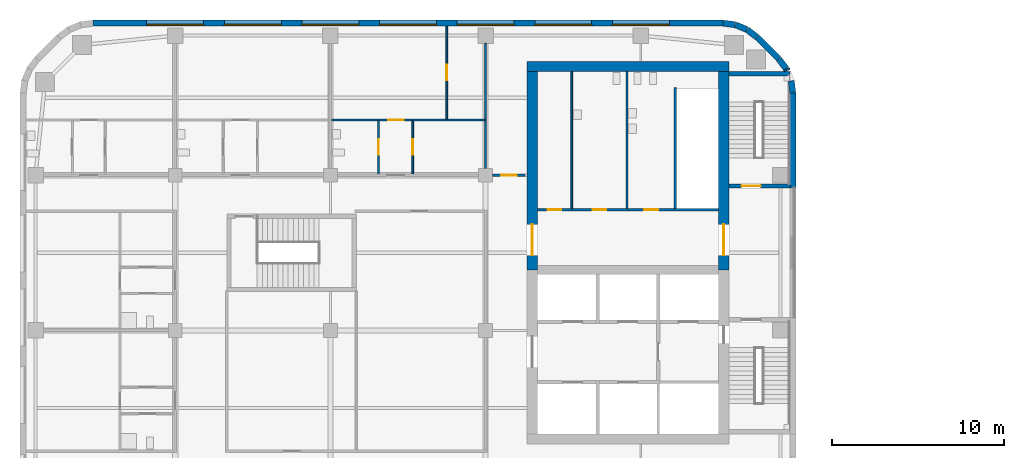
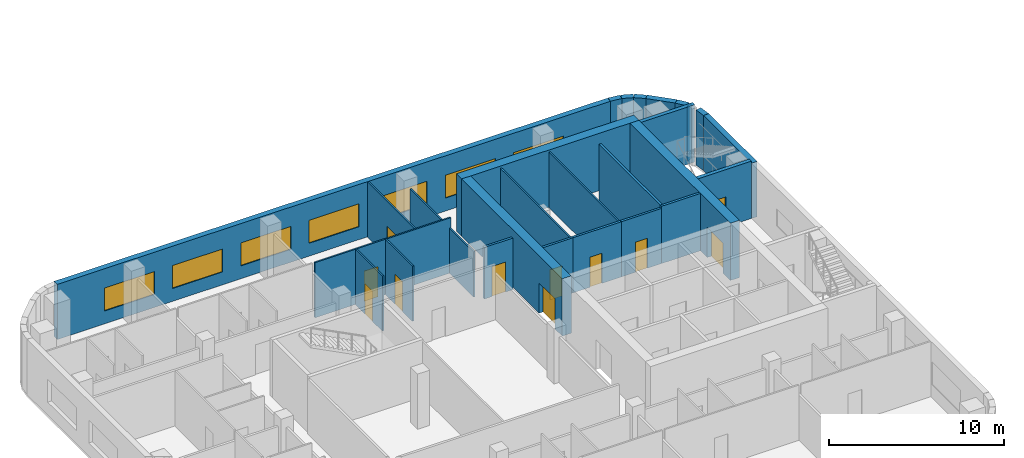
# One storey, part 8 of 16: 28 walls, 11 doors, 7 windows, 18 openings.
"""IFC4 building model written with IfcOpenShell, lengths in metres."""

from ifc_helpers import new_model, si_unit, direction, frame, frame_2d, origin, place, context, subcontext, project, spatial, rectangle, extrude, material, layer, layer_set, type_object, element, fill, save


model = new_model("IFC4")

# Units and contexts
model_context = context("Model", 3, precision=1e-05, world=origin(), true_north=direction((0.0, 1.0)))
body_context = subcontext(model_context, "Body", "Model", "MODEL_VIEW")
ifc_project = project(units=[si_unit("LENGTHUNIT", "METRE"), si_unit("AREAUNIT", "SQUARE_METRE"), si_unit("VOLUMEUNIT", "CUBIC_METRE"), si_unit("PLANEANGLEUNIT", "RADIAN"), si_unit("MASSUNIT", "GRAM", prefix="KILO")], contexts=[model_context])

# Site, building, storey
site_placement = place(None, origin())
site = spatial("IfcSite", under=ifc_project, at=site_placement, CompositionType="ELEMENT")
building_placement = place(site_placement, origin())
building = spatial("IfcBuilding", under=site, at=building_placement, Name="Cinnabar Reach Civic Tower", CompositionType="ELEMENT")
storey_placement = place(building_placement, frame((0.0, 0.0, 30.0)))
storey = spatial("IfcBuildingStorey", under=building, at=storey_placement, Name="L06", CompositionType="ELEMENT", Elevation=30.0)

# Walls
ifc_material_1 = material(Name="Facing brick with insulated backing", Category="masonry")
ifc_layer_1 = layer(ifc_material_1, 0.36)
ifc_layer_set_1 = layer_set([ifc_layer_1], Name="Brick corner wall")
wall_type_1 = type_object("IfcWallType", Name="Brick corner wall", PredefinedType="STANDARD", material=ifc_layer_set_1)
wall_1_placement = place(storey_placement, frame((-27.183, 40.7686, 0.0), z_axis=(0.0, 0.0, 1.0), x_axis=(-0.13055608231, 0.99144092581, 0.0)))
element("IfcWall", 1, at=wall_1_placement, inside=storey, type_object=wall_type_1, Name="Brick corner wall", PredefinedType="STANDARD", context=body_context, shape_type="SweptSolid", body=[
    extrude(rectangle(XDim=0.7131, YDim=0.36, at=frame_2d((0.3565, 0.0))), origin(), (0.0, 0.0, 1.0), 3.85),
])
wall_2_placement = place(storey_placement, frame((-27.5206, 42.0735, 0.0), z_axis=(0.0, 0.0, 1.0), x_axis=(-0.382549378284, 0.923935048136, 0.0)))
element("IfcWall", 2, at=wall_2_placement, inside=storey, type_object=wall_type_1, Name="Brick corner wall", PredefinedType="STANDARD", context=body_context, shape_type="SweptSolid", body=[
    extrude(rectangle(XDim=0.0894, YDim=0.36, at=frame_2d((0.0447, 0.0))), origin(), (0.0, 0.0, 1.0), 3.85),
])
for number, where, z_axis, x_axis, name in (
    (3, (-27.566, 42.1755, 0.0), (0.0, 0.0, 1.0), (-0.608802368033, 0.793321924995, 0.0), "Brick corner wall"),
    (4, (-29.2587, 43.9998, 0.0), (0.0, 0.0, 1.0), (-0.793321924995, 0.608802368033, 0.0), "Brick corner wall"),
):
    element("IfcWall", number, at=place(storey_placement, frame(where, z_axis=z_axis, x_axis=x_axis)), inside=storey, type_object=wall_type_1, Name=name, PredefinedType="STANDARD", context=body_context, shape_type="SweptSolid", body=[
        extrude(rectangle(XDim=0.7132, YDim=0.36, at=frame_2d((0.3566, 0.0))), origin(), (0.0, 0.0, 1.0), 3.85),
    ])
for number, where, z_axis, x_axis, name in (
    (5, (-29.8439, 44.4452, 0.0), (0.0, 0.0, 1.0), (-0.923871547278, 0.382702709855, 0.0), "Brick corner wall"),
    (6, (-30.5244, 44.7239, 0.0), (0.0, 0.0, 1.0), (-0.99144092581, 0.13055608231, 0.0), "Brick corner wall"),
):
    element("IfcWall", number, at=place(storey_placement, frame(where, z_axis=z_axis, x_axis=x_axis)), inside=storey, type_object=wall_type_1, Name=name, PredefinedType="STANDARD", context=body_context, shape_type="SweptSolid", body=[
        extrude(rectangle(XDim=0.7131, YDim=0.36, at=frame_2d((0.3565, 0.0))), origin(), (0.0, 0.0, 1.0), 3.85),
    ])
ifc_layer_2 = layer(ifc_material_1, 0.36)
ifc_layer_set_2 = layer_set([ifc_layer_2], Name="Brick pier and spandrel wall")
wall_type_2 = type_object("IfcWallType", Name="Brick pier and spandrel wall", PredefinedType="STANDARD", material=ifc_layer_set_2)
wall_3_placement = place(storey_placement, frame((-27.18, 35.25, 0.0), z_axis=(0.0, 0.0, 1.0), x_axis=(0.0, 1.0, 0.0)))
element("IfcWall", 7, at=wall_3_placement, inside=storey, type_object=wall_type_2, Name="Brick facade wall", PredefinedType="STANDARD", context=body_context, shape_type="SweptSolid", body=[
    extrude(rectangle(XDim=5.5074, YDim=0.36, at=frame_2d((2.7537, 0.0))), origin(), (0.0, 0.0, 1.0), 3.85),
])
wall_4_placement = place(storey_placement, frame((-28.006, 42.7514, 0.0), z_axis=(0.0, 0.0, 1.0), x_axis=(-0.707106781187, 0.707106781187, 0.0)))
element("IfcWall", 8, at=wall_4_placement, inside=storey, type_object=wall_type_2, Name="Brick facade wall", PredefinedType="STANDARD", context=body_context, shape_type="SweptSolid", body=[
    extrude(rectangle(XDim=1.7573, YDim=0.36, at=frame_2d((0.8787, 0.0))), origin(), (0.0, 0.0, 1.0), 3.85),
])

# Wall, openings, windows
wall_5_placement = place(storey_placement, frame((-31.2426, 44.82, 0.0), z_axis=(0.0, 0.0, 1.0), x_axis=(-1.0, 0.0, 0.0)))
wall_5 = element("IfcWall", 9, at=wall_5_placement, inside=storey, type_object=wall_type_2, Name="Brick facade wall", PredefinedType="STANDARD", context=body_context, shape_type="SweptSolid", body=[
    extrude(rectangle(XDim=36.5148, YDim=0.36, at=frame_2d((18.2574, 0.0))), origin(), (0.0, 0.0, 1.0), 3.85),
])
opening_1_placement = place(wall_5_placement, frame((3.1074, 0.0, 0.9)))
opening_1 = element("IfcOpeningElement", 10, at=opening_1_placement, cuts=wall_5, Name="Opening W2381", PredefinedType="OPENING", context=body_context, shape_type="SweptSolid", body=[
    extrude(rectangle(XDim=3.3, YDim=1.6, at=frame_2d((1.65, 0.8))), frame((0.0, 0.19, 0.0), z_axis=(0.0, -1.0, 0.0), x_axis=(1.0, 0.0, 0.0)), (0.0, 0.0, 1.0), 0.38),
])
opening_2_placement = place(wall_5_placement, frame((7.6074, 0.0, 0.9)))
opening_2 = element("IfcOpeningElement", 11, at=opening_2_placement, cuts=wall_5, Name="Opening W2382", PredefinedType="OPENING", context=body_context, shape_type="SweptSolid", body=[
    extrude(rectangle(XDim=3.3, YDim=1.6, at=frame_2d((1.65, 0.8))), frame((0.0, 0.19, 0.0), z_axis=(0.0, -1.0, 0.0), x_axis=(1.0, 0.0, 0.0)), (0.0, 0.0, 1.0), 0.38),
])
opening_3_placement = place(wall_5_placement, frame((12.1074, 0.0, 0.9)))
opening_3 = element("IfcOpeningElement", 12, at=opening_3_placement, cuts=wall_5, Name="Opening W2383", PredefinedType="OPENING", context=body_context, shape_type="SweptSolid", body=[
    extrude(rectangle(XDim=3.3, YDim=1.6, at=frame_2d((1.65, 0.8))), frame((0.0, 0.19, 0.0), z_axis=(0.0, -1.0, 0.0), x_axis=(1.0, 0.0, 0.0)), (0.0, 0.0, 1.0), 0.38),
])
opening_4_placement = place(wall_5_placement, frame((16.6074, 0.0, 0.9)))
opening_4 = element("IfcOpeningElement", 13, at=opening_4_placement, cuts=wall_5, Name="Opening W2384", PredefinedType="OPENING", context=body_context, shape_type="SweptSolid", body=[
    extrude(rectangle(XDim=3.3, YDim=1.6, at=frame_2d((1.65, 0.8))), frame((0.0, 0.19, 0.0), z_axis=(0.0, -1.0, 0.0), x_axis=(1.0, 0.0, 0.0)), (0.0, 0.0, 1.0), 0.38),
])
opening_5_placement = place(wall_5_placement, frame((21.1074, 0.0, 0.9)))
opening_5 = element("IfcOpeningElement", 14, at=opening_5_placement, cuts=wall_5, Name="Opening W2385", PredefinedType="OPENING", context=body_context, shape_type="SweptSolid", body=[
    extrude(rectangle(XDim=3.3, YDim=1.6, at=frame_2d((1.65, 0.8))), frame((0.0, 0.19, 0.0), z_axis=(0.0, -1.0, 0.0), x_axis=(1.0, 0.0, 0.0)), (0.0, 0.0, 1.0), 0.38),
])
opening_6_placement = place(wall_5_placement, frame((25.6074, 0.0, 0.9)))
opening_6 = element("IfcOpeningElement", 15, at=opening_6_placement, cuts=wall_5, Name="Opening W2386", PredefinedType="OPENING", context=body_context, shape_type="SweptSolid", body=[
    extrude(rectangle(XDim=3.3, YDim=1.6, at=frame_2d((1.65, 0.8))), frame((0.0, 0.19, 0.0), z_axis=(0.0, -1.0, 0.0), x_axis=(1.0, 0.0, 0.0)), (0.0, 0.0, 1.0), 0.38),
])
opening_7_placement = place(wall_5_placement, frame((30.1074, 0.0, 0.9)))
opening_7 = element("IfcOpeningElement", 16, at=opening_7_placement, cuts=wall_5, Name="Opening W2387", PredefinedType="OPENING", context=body_context, shape_type="SweptSolid", body=[
    extrude(rectangle(XDim=3.3, YDim=1.6, at=frame_2d((1.65, 0.8))), frame((0.0, 0.19, 0.0), z_axis=(0.0, -1.0, 0.0), x_axis=(1.0, 0.0, 0.0)), (0.0, 0.0, 1.0), 0.38),
])
ifc_material_2 = material(Name="Clear double glazing in aluminium frame", Category="aluminium")
window_type = type_object("IfcWindowType", Name="Deep-set window A", PartitioningType="SINGLE_PANEL", PredefinedType="WINDOW", material=ifc_material_2)
window_1_placement = place(opening_1_placement, origin())
window_1 = element("IfcWindow", 17, at=window_1_placement, inside=storey, type_object=window_type, Name="Window north face", OverallHeight=1.6, OverallWidth=3.3, PartitioningType="SINGLE_PANEL", PredefinedType="WINDOW", context=body_context, shape_type="SweptSolid", body=[
    extrude(rectangle(XDim=3.3, YDim=1.6, at=frame_2d((1.65, 0.8))), frame((0.0, 0.13, 0.0), z_axis=(0.0, -1.0, 0.0), x_axis=(1.0, 0.0, 0.0)), (0.0, 0.0, 1.0), 0.06),
])
fill(opening_1, window_1)
window_2_placement = place(opening_2_placement, origin())
window_2 = element("IfcWindow", 18, at=window_2_placement, inside=storey, type_object=window_type, Name="Window north face", OverallHeight=1.6, OverallWidth=3.3, PartitioningType="SINGLE_PANEL", PredefinedType="WINDOW", context=body_context, shape_type="SweptSolid", body=[
    extrude(rectangle(XDim=3.3, YDim=1.6, at=frame_2d((1.65, 0.8))), frame((0.0, 0.13, 0.0), z_axis=(0.0, -1.0, 0.0), x_axis=(1.0, 0.0, 0.0)), (0.0, 0.0, 1.0), 0.06),
])
fill(opening_2, window_2)
window_3_placement = place(opening_3_placement, origin())
window_3 = element("IfcWindow", 19, at=window_3_placement, inside=storey, type_object=window_type, Name="Window north face", OverallHeight=1.6, OverallWidth=3.3, PartitioningType="SINGLE_PANEL", PredefinedType="WINDOW", context=body_context, shape_type="SweptSolid", body=[
    extrude(rectangle(XDim=3.3, YDim=1.6, at=frame_2d((1.65, 0.8))), frame((0.0, 0.13, 0.0), z_axis=(0.0, -1.0, 0.0), x_axis=(1.0, 0.0, 0.0)), (0.0, 0.0, 1.0), 0.06),
])
fill(opening_3, window_3)
window_4_placement = place(opening_4_placement, origin())
window_4 = element("IfcWindow", 20, at=window_4_placement, inside=storey, type_object=window_type, Name="Window north face", OverallHeight=1.6, OverallWidth=3.3, PartitioningType="SINGLE_PANEL", PredefinedType="WINDOW", context=body_context, shape_type="SweptSolid", body=[
    extrude(rectangle(XDim=3.3, YDim=1.6, at=frame_2d((1.65, 0.8))), frame((0.0, 0.13, 0.0), z_axis=(0.0, -1.0, 0.0), x_axis=(1.0, 0.0, 0.0)), (0.0, 0.0, 1.0), 0.06),
])
fill(opening_4, window_4)
window_5_placement = place(opening_5_placement, origin())
window_5 = element("IfcWindow", 21, at=window_5_placement, inside=storey, type_object=window_type, Name="Window north face", OverallHeight=1.6, OverallWidth=3.3, PartitioningType="SINGLE_PANEL", PredefinedType="WINDOW", context=body_context, shape_type="SweptSolid", body=[
    extrude(rectangle(XDim=3.3, YDim=1.6, at=frame_2d((1.65, 0.8))), frame((0.0, 0.13, 0.0), z_axis=(0.0, -1.0, 0.0), x_axis=(1.0, 0.0, 0.0)), (0.0, 0.0, 1.0), 0.06),
])
fill(opening_5, window_5)
window_6_placement = place(opening_6_placement, origin())
window_6 = element("IfcWindow", 22, at=window_6_placement, inside=storey, type_object=window_type, Name="Window north face", OverallHeight=1.6, OverallWidth=3.3, PartitioningType="SINGLE_PANEL", PredefinedType="WINDOW", context=body_context, shape_type="SweptSolid", body=[
    extrude(rectangle(XDim=3.3, YDim=1.6, at=frame_2d((1.65, 0.8))), frame((0.0, 0.13, 0.0), z_axis=(0.0, -1.0, 0.0), x_axis=(1.0, 0.0, 0.0)), (0.0, 0.0, 1.0), 0.06),
])
fill(opening_6, window_6)
window_7_placement = place(opening_7_placement, origin())
window_7 = element("IfcWindow", 23, at=window_7_placement, inside=storey, type_object=window_type, Name="Window north face", OverallHeight=1.6, OverallWidth=3.3, PartitioningType="SINGLE_PANEL", PredefinedType="WINDOW", context=body_context, shape_type="SweptSolid", body=[
    extrude(rectangle(XDim=3.3, YDim=1.6, at=frame_2d((1.65, 0.8))), frame((0.0, 0.13, 0.0), z_axis=(0.0, -1.0, 0.0), x_axis=(1.0, 0.0, 0.0)), (0.0, 0.0, 1.0), 0.06),
])
fill(opening_7, window_7)

# Wall
ifc_material_3 = material(Name="Concrete C70", Category="concrete")
ifc_layer_3 = layer(ifc_material_3, 0.6)
ifc_layer_set_3 = layer_set([ifc_layer_3], Name="Core wall 600 EI 180")
wall_type_3 = type_object("IfcWallType", Name="Core wall 600 EI 180", PredefinedType="SOLIDWALL", material=ifc_layer_set_3)
wall_6_placement = place(storey_placement, frame((-30.9, 42.3, 0.0), z_axis=(0.0, 0.0, 1.0), x_axis=(-1.0, 0.0, 0.0)))
element("IfcWall", 24, at=wall_6_placement, inside=storey, type_object=wall_type_3, Name="Core wall T2 L06 N", PredefinedType="SOLIDWALL", context=body_context, shape_type="SweptSolid", body=[
    extrude(rectangle(XDim=11.7, YDim=0.6, at=frame_2d((5.85, 0.0))), origin(), (0.0, 0.0, 1.0), 4.0),
])

# Wall, opening, door
wall_7_placement = place(storey_placement, frame((-31.2, 30.5, 0.0), z_axis=(0.0, 0.0, 1.0), x_axis=(0.0, 1.0, 0.0)))
wall_7 = element("IfcWall", 25, at=wall_7_placement, inside=storey, type_object=wall_type_3, Name="Core wall T2 L06 E2", PredefinedType="SOLIDWALL", context=body_context, shape_type="SweptSolid", body=[
    extrude(rectangle(XDim=11.5, YDim=0.6, at=frame_2d((5.75, 0.0))), origin(), (0.0, 0.0, 1.0), 4.0),
])
opening_8_placement = place(wall_7_placement, frame((0.85, 0.0, 0.0)))
opening_8 = element("IfcOpeningElement", 26, at=opening_8_placement, cuts=wall_7, Name="Opening D6156", PredefinedType="OPENING", context=body_context, shape_type="SweptSolid", body=[
    extrude(rectangle(XDim=1.8, YDim=2.1, at=frame_2d((0.9, 1.05))), frame((0.0, 0.31, 0.0), z_axis=(0.0, -1.0, 0.0), x_axis=(1.0, 0.0, 0.0)), (0.0, 0.0, 1.0), 0.62),
])
ifc_material_4 = material(Name="Steel fire door", Category="steel")
door_type_1 = type_object("IfcDoorType", Name="T2 Double door 1800", OperationType="DOUBLE_DOOR_SINGLE_SWING", PredefinedType="DOOR", material=ifc_material_4)
door_1_placement = place(opening_8_placement, origin())
door_1 = element("IfcDoor", 27, at=door_1_placement, inside=storey, type_object=door_type_1, Name="T2 Double door D6156", OperationType="DOUBLE_DOOR_SINGLE_SWING", OverallHeight=2.1, OverallWidth=1.8, PredefinedType="DOOR", context=body_context, shape_type="SweptSolid", body=[
    extrude(rectangle(XDim=1.8, YDim=2.1, at=frame_2d((0.9, 1.05))), frame((0.0, 0.025, 0.0), z_axis=(0.0, -1.0, 0.0), x_axis=(1.0, 0.0, 0.0)), (0.0, 0.0, 1.0), 0.05),
])
fill(opening_8, door_1)

wall_8_placement = place(storey_placement, frame((-42.3, 42.0, 0.0), z_axis=(0.0, 0.0, 1.0), x_axis=(0.0, -1.0, 0.0)))
wall_8 = element("IfcWall", 28, at=wall_8_placement, inside=storey, type_object=wall_type_3, Name="Core wall T2 L06 W", PredefinedType="SOLIDWALL", context=body_context, shape_type="SweptSolid", body=[
    extrude(rectangle(XDim=11.5, YDim=0.6, at=frame_2d((5.75, 0.0))), origin(), (0.0, 0.0, 1.0), 4.0),
])
opening_9_placement = place(wall_8_placement, frame((8.85, 0.0, 0.0)))
opening_9 = element("IfcOpeningElement", 29, at=opening_9_placement, cuts=wall_8, Name="Opening D6158", PredefinedType="OPENING", context=body_context, shape_type="SweptSolid", body=[
    extrude(rectangle(XDim=1.8, YDim=2.1, at=frame_2d((0.9, 1.05))), frame((0.0, 0.31, 0.0), z_axis=(0.0, -1.0, 0.0), x_axis=(1.0, 0.0, 0.0)), (0.0, 0.0, 1.0), 0.62),
])
door_2_placement = place(opening_9_placement, frame((1.8, 0.0, 0.0), z_axis=(0.0, 0.0, 1.0), x_axis=(-1.0, 0.0, 0.0)))
door_2 = element("IfcDoor", 30, at=door_2_placement, inside=storey, type_object=door_type_1, Name="T2 Double door D6158", OperationType="DOUBLE_DOOR_SINGLE_SWING", OverallHeight=2.1, OverallWidth=1.8, PredefinedType="DOOR", context=body_context, shape_type="SweptSolid", body=[
    extrude(rectangle(XDim=1.8, YDim=2.1, at=frame_2d((0.9, 1.05))), frame((0.0, 0.025, 0.0), z_axis=(0.0, -1.0, 0.0), x_axis=(1.0, 0.0, 0.0)), (0.0, 0.0, 1.0), 0.05),
])
fill(opening_9, door_2)

ifc_material_5 = material(Name="Gypsum board on steel studs, double layer", Category="steel")
ifc_layer_4 = layer(ifc_material_5, 0.15)
ifc_layer_set_4 = layer_set([ifc_layer_4], Name="Corridor wall 150 T2")
wall_type_4 = type_object("IfcWallType", Name="Corridor wall 150 T2", PredefinedType="PARTITIONING", material=ifc_layer_set_4)
wall_9_placement = place(storey_placement, frame((-44.6, 36.0, 0.0), z_axis=(0.0, 0.0, 1.0), x_axis=(1.0, 0.0, 0.0)))
wall_9 = element("IfcWall", 31, at=wall_9_placement, inside=storey, type_object=wall_type_4, Name="Corridor wall 6", PredefinedType="PARTITIONING", context=body_context, shape_type="SweptSolid", body=[
    extrude(rectangle(XDim=1.875, YDim=0.15, at=frame_2d((0.9375, 0.0))), origin(), (0.0, 0.0, 1.0), 3.602),
])
opening_10_placement = place(wall_9_placement, frame((0.5, 0.0, 0.0)))
opening_10 = element("IfcOpeningElement", 32, at=opening_10_placement, cuts=wall_9, Name="Opening D6162", PredefinedType="OPENING", context=body_context, shape_type="SweptSolid", body=[
    extrude(rectangle(XDim=0.9, YDim=2.1, at=frame_2d((0.45, 1.05))), frame((0.0, 0.085, 0.0), z_axis=(0.0, -1.0, 0.0), x_axis=(1.0, 0.0, 0.0)), (0.0, 0.0, 1.0), 0.17),
])
ifc_material_6 = material(Name="Timber door leaf in steel frame", Category="steel")
door_type_2 = type_object("IfcDoorType", Name="Single swing door 900 x 2100 T2", OperationType="SINGLE_SWING_LEFT", PredefinedType="DOOR", material=ifc_material_6)
door_3_placement = place(opening_10_placement, origin())
door_3 = element("IfcDoor", 33, at=door_3_placement, inside=storey, type_object=door_type_2, Name="Door D6162", OperationType="SINGLE_SWING_LEFT", OverallHeight=2.1, OverallWidth=0.9, PredefinedType="DOOR", context=body_context, shape_type="SweptSolid", body=[
    extrude(rectangle(XDim=0.9, YDim=2.1, at=frame_2d((0.45, 1.05))), frame((0.0, 0.025, 0.0), z_axis=(0.0, -1.0, 0.0), x_axis=(1.0, 0.0, 0.0)), (0.0, 0.0, 1.0), 0.05),
])
fill(opening_10, door_3)

ifc_material_7 = material(Name="Gypsum board on steel studs", Category="steel")
ifc_layer_5 = layer(ifc_material_7, 0.1)
ifc_layer_set_5 = layer_set([ifc_layer_5], Name="Partition wall 100 T2")
wall_type_5 = type_object("IfcWallType", Name="Partition wall 100 T2", PredefinedType="PARTITIONING", material=ifc_layer_set_5)
wall_10_placement = place(storey_placement, frame((-53.925, 39.2, 0.0), z_axis=(0.0, 0.0, 1.0), x_axis=(1.0, 0.0, 0.0)))
wall_10 = element("IfcWall", 34, at=wall_10_placement, inside=storey, type_object=wall_type_5, Name="Partition wall 32", PredefinedType="PARTITIONING", context=body_context, shape_type="SweptSolid", body=[
    extrude(rectangle(XDim=8.975, YDim=0.1, at=frame_2d((4.4875, 0.0))), origin(), (0.0, 0.0, 1.0), 3.85),
])
opening_11_placement = place(wall_10_placement, frame((3.265, 0.0, 0.0)))
opening_11 = element("IfcOpeningElement", 35, at=opening_11_placement, cuts=wall_10, Name="Opening D6190", PredefinedType="OPENING", context=body_context, shape_type="SweptSolid", body=[
    extrude(rectangle(XDim=0.9, YDim=2.1, at=frame_2d((0.45, 1.05))), frame((0.0, 0.06, 0.0), z_axis=(0.0, -1.0, 0.0), x_axis=(1.0, 0.0, 0.0)), (0.0, 0.0, 1.0), 0.12),
])
door_4_placement = place(opening_11_placement, frame((0.9, 0.0, 0.0), z_axis=(0.0, 0.0, 1.0), x_axis=(-1.0, 0.0, 0.0)))
door_4 = element("IfcDoor", 36, at=door_4_placement, inside=storey, type_object=door_type_2, Name="Door D6190", OperationType="SINGLE_SWING_LEFT", OverallHeight=2.1, OverallWidth=0.9, PredefinedType="DOOR", context=body_context, shape_type="SweptSolid", body=[
    extrude(rectangle(XDim=0.9, YDim=2.1, at=frame_2d((0.45, 1.05))), frame((0.0, 0.025, 0.0), z_axis=(0.0, -1.0, 0.0), x_axis=(1.0, 0.0, 0.0)), (0.0, 0.0, 1.0), 0.05),
])
fill(opening_11, door_4)

# Walls
wall_11_placement = place(storey_placement, frame((-45.0, 39.25, 0.0), z_axis=(0.0, 0.0, 1.0), x_axis=(0.0, 1.0, 0.0)))
element("IfcWall", 37, at=wall_11_placement, inside=storey, type_object=wall_type_5, Name="Partition wall 40", PredefinedType="PARTITIONING", context=body_context, shape_type="SweptSolid", body=[
    extrude(rectangle(XDim=4.4, YDim=0.1, at=frame_2d((2.2, 0.0))), origin(), (0.0, 0.0, 1.0), 3.158),
])
wall_12_placement = place(storey_placement, frame((-45.0, 36.4, 0.0), z_axis=(0.0, 0.0, 1.0), x_axis=(0.0, 1.0, 0.0)))
element("IfcWall", 38, at=wall_12_placement, inside=storey, type_object=wall_type_5, Name="Partition wall 41", PredefinedType="PARTITIONING", context=body_context, shape_type="SweptSolid", body=[
    extrude(rectangle(XDim=2.75, YDim=0.1, at=frame_2d((1.375, 0.0))), origin(), (0.0, 0.0, 1.0), 3.158),
])

# Wall, opening, door
wall_13_placement = place(storey_placement, frame((-47.25, 39.25, 0.0), z_axis=(0.0, 0.0, 1.0), x_axis=(0.0, 1.0, 0.0)))
wall_13 = element("IfcWall", 39, at=wall_13_placement, inside=storey, type_object=wall_type_5, Name="Partition wall 42", PredefinedType="PARTITIONING", context=body_context, shape_type="SweptSolid", body=[
    extrude(rectangle(XDim=5.39, YDim=0.1, at=frame_2d((2.695, 0.0))), origin(), (0.0, 0.0, 1.0), 3.85),
])
opening_12_placement = place(wall_13_placement, frame((2.25, 0.0, 0.0)))
opening_12 = element("IfcOpeningElement", 40, at=opening_12_placement, cuts=wall_13, Name="Opening D6191", PredefinedType="OPENING", context=body_context, shape_type="SweptSolid", body=[
    extrude(rectangle(XDim=0.9, YDim=2.1, at=frame_2d((0.45, 1.05))), frame((0.0, 0.06, 0.0), z_axis=(0.0, -1.0, 0.0), x_axis=(1.0, 0.0, 0.0)), (0.0, 0.0, 1.0), 0.12),
])
door_5_placement = place(opening_12_placement, frame((0.9, 0.0, 0.0), z_axis=(0.0, 0.0, 1.0), x_axis=(-1.0, 0.0, 0.0)))
door_5 = element("IfcDoor", 41, at=door_5_placement, inside=storey, type_object=door_type_2, Name="Door D6191", OperationType="SINGLE_SWING_RIGHT", OverallHeight=2.1, OverallWidth=0.9, PredefinedType="DOOR", context=body_context, shape_type="SweptSolid", body=[
    extrude(rectangle(XDim=0.9, YDim=2.1, at=frame_2d((0.45, 1.05))), frame((0.0, 0.025, 0.0), z_axis=(0.0, -1.0, 0.0), x_axis=(1.0, 0.0, 0.0)), (0.0, 0.0, 1.0), 0.05),
])
fill(opening_12, door_5)

wall_14_placement = place(storey_placement, frame((-51.21, 36.075, 0.0), z_axis=(0.0, 0.0, 1.0), x_axis=(0.0, 1.0, 0.0)))
wall_14 = element("IfcWall", 42, at=wall_14_placement, inside=storey, type_object=wall_type_5, Name="Partition wall 51", PredefinedType="PARTITIONING", context=body_context, shape_type="SweptSolid", body=[
    extrude(rectangle(XDim=3.075, YDim=0.1, at=frame_2d((1.5375, 0.0))), origin(), (0.0, 0.0, 1.0), 3.85),
])
opening_13_placement = place(wall_14_placement, frame((1.1, 0.0, 0.0)))
opening_13 = element("IfcOpeningElement", 43, at=opening_13_placement, cuts=wall_14, Name="Opening D6188", PredefinedType="OPENING", context=body_context, shape_type="SweptSolid", body=[
    extrude(rectangle(XDim=0.9, YDim=2.1, at=frame_2d((0.45, 1.05))), frame((0.0, 0.06, 0.0), z_axis=(0.0, -1.0, 0.0), x_axis=(1.0, 0.0, 0.0)), (0.0, 0.0, 1.0), 0.12),
])
door_6_placement = place(opening_13_placement, origin())
door_6 = element("IfcDoor", 44, at=door_6_placement, inside=storey, type_object=door_type_2, Name="Door D6188", OperationType="SINGLE_SWING_LEFT", OverallHeight=2.1, OverallWidth=0.9, PredefinedType="DOOR", context=body_context, shape_type="SweptSolid", body=[
    extrude(rectangle(XDim=0.9, YDim=2.1, at=frame_2d((0.45, 1.05))), frame((0.0, 0.025, 0.0), z_axis=(0.0, -1.0, 0.0), x_axis=(1.0, 0.0, 0.0)), (0.0, 0.0, 1.0), 0.05),
])
fill(opening_13, door_6)

wall_15_placement = place(storey_placement, frame((-49.23, 36.075, 0.0), z_axis=(0.0, 0.0, 1.0), x_axis=(0.0, 1.0, 0.0)))
wall_15 = element("IfcWall", 45, at=wall_15_placement, inside=storey, type_object=wall_type_5, Name="Partition wall 52", PredefinedType="PARTITIONING", context=body_context, shape_type="SweptSolid", body=[
    extrude(rectangle(XDim=3.075, YDim=0.1, at=frame_2d((1.5375, 0.0))), origin(), (0.0, 0.0, 1.0), 3.85),
])
opening_14_placement = place(wall_15_placement, frame((1.1, 0.0, 0.0)))
opening_14 = element("IfcOpeningElement", 46, at=opening_14_placement, cuts=wall_15, Name="Opening D6189", PredefinedType="OPENING", context=body_context, shape_type="SweptSolid", body=[
    extrude(rectangle(XDim=0.9, YDim=2.1, at=frame_2d((0.45, 1.05))), frame((0.0, 0.06, 0.0), z_axis=(0.0, -1.0, 0.0), x_axis=(1.0, 0.0, 0.0)), (0.0, 0.0, 1.0), 0.12),
])
door_7_placement = place(opening_14_placement, origin())
door_7 = element("IfcDoor", 47, at=door_7_placement, inside=storey, type_object=door_type_2, Name="Door D6189", OperationType="SINGLE_SWING_LEFT", OverallHeight=2.1, OverallWidth=0.9, PredefinedType="DOOR", context=body_context, shape_type="SweptSolid", body=[
    extrude(rectangle(XDim=0.9, YDim=2.1, at=frame_2d((0.45, 1.05))), frame((0.0, 0.025, 0.0), z_axis=(0.0, -1.0, 0.0), x_axis=(1.0, 0.0, 0.0)), (0.0, 0.0, 1.0), 0.05),
])
fill(opening_14, door_7)

ifc_material_8 = material(Name="Concrete C60", Category="concrete")
ifc_layer_6 = layer(ifc_material_8, 0.25)
ifc_layer_set_6 = layer_set([ifc_layer_6], Name="Stair shaft wall 250 EI 120")
wall_type_6 = type_object("IfcWallType", Name="Stair shaft wall 250 EI 120", PredefinedType="SOLIDWALL", material=ifc_layer_set_6)
wall_16_placement = place(storey_placement, frame((-30.9, 35.375, 0.0), z_axis=(0.0, 0.0, 1.0), x_axis=(1.0, 0.0, 0.0)))
wall_16 = element("IfcWall", 48, at=wall_16_placement, inside=storey, type_object=wall_type_6, Name="Stair shaft wall T2-S2 L06", PredefinedType="SOLIDWALL", context=body_context, shape_type="SweptSolid", body=[
    extrude(rectangle(XDim=3.54, YDim=0.25, at=frame_2d((1.77, 0.0))), origin(), (0.0, 0.0, 1.0), 4.0),
])
opening_15_placement = place(wall_16_placement, frame((0.75, 0.0, 0.0)))
opening_15 = element("IfcOpeningElement", 49, at=opening_15_placement, cuts=wall_16, Name="Opening D6155", PredefinedType="OPENING", context=body_context, shape_type="SweptSolid", body=[
    extrude(rectangle(XDim=1.1, YDim=2.1, at=frame_2d((0.55, 1.05))), frame((0.0, 0.135, 0.0), z_axis=(0.0, -1.0, 0.0), x_axis=(1.0, 0.0, 0.0)), (0.0, 0.0, 1.0), 0.27),
])
door_type_3 = type_object("IfcDoorType", Name="T2 Stair door 1100", OperationType="SINGLE_SWING_LEFT", PredefinedType="DOOR", material=ifc_material_4)
door_8_placement = place(opening_15_placement, origin())
door_8 = element("IfcDoor", 50, at=door_8_placement, inside=storey, type_object=door_type_3, Name="T2 Stair door D6155", OperationType="SINGLE_SWING_RIGHT", OverallHeight=2.1, OverallWidth=1.1, PredefinedType="DOOR", context=body_context, shape_type="SweptSolid", body=[
    extrude(rectangle(XDim=1.1, YDim=2.1, at=frame_2d((0.55, 1.05))), frame((0.0, 0.025, 0.0), z_axis=(0.0, -1.0, 0.0), x_axis=(1.0, 0.0, 0.0)), (0.0, 0.0, 1.0), 0.05),
])
fill(opening_15, door_8)

# Wall
wall_17_placement = place(storey_placement, frame((-27.36, 41.875, 0.0), z_axis=(0.0, 0.0, 1.0), x_axis=(-1.0, 0.0, 0.0)))
element("IfcWall", 51, at=wall_17_placement, inside=storey, type_object=wall_type_6, Name="Stair shaft wall T2-S2 L06", PredefinedType="SOLIDWALL", context=body_context, shape_type="SweptSolid", body=[
    extrude(rectangle(XDim=3.54, YDim=0.25, at=frame_2d((1.77, 0.0))), origin(), (0.0, 0.0, 1.0), 4.0),
])

# Wall, opening, door
ifc_material_9 = material(Name="Masonry block partition", Category="masonry")
ifc_layer_7 = layer(ifc_material_9, 0.15)
ifc_layer_set_7 = layer_set([ifc_layer_7], Name="T2 Corridor wall 150")
wall_type_7 = type_object("IfcWallType", Name="T2 Corridor wall 150", PredefinedType="PARTITIONING", material=ifc_layer_set_7)
wall_18_placement = place(storey_placement, frame((-39.925, 34.0, 0.0), z_axis=(0.0, 0.0, 1.0), x_axis=(-1.0, 0.0, 0.0)))
wall_18 = element("IfcWall", 52, at=wall_18_placement, inside=storey, type_object=wall_type_7, Name="T2 Corridor wall L06 014", PredefinedType="PARTITIONING", context=body_context, shape_type="SweptSolid", body=[
    extrude(rectangle(XDim=2.075, YDim=0.15, at=frame_2d((1.0375, 0.0))), origin(), (0.0, 0.0, 1.0), 3.85),
])
opening_16_placement = place(wall_18_placement, frame((0.675, 0.0, 0.0)))
opening_16 = element("IfcOpeningElement", 53, at=opening_16_placement, cuts=wall_18, Name="Opening D6159", PredefinedType="OPENING", context=body_context, shape_type="SweptSolid", body=[
    extrude(rectangle(XDim=0.8, YDim=2.1, at=frame_2d((0.4, 1.05))), frame((0.0, 0.085, 0.0), z_axis=(0.0, -1.0, 0.0), x_axis=(1.0, 0.0, 0.0)), (0.0, 0.0, 1.0), 0.17),
])
ifc_material_10 = material(Name="Timber door leaf", Category="wood")
door_type_4 = type_object("IfcDoorType", Name="T2 Bathroom door 800", OperationType="SINGLE_SWING_LEFT", PredefinedType="DOOR", material=ifc_material_10)
door_9_placement = place(opening_16_placement, frame((0.8, 0.0, 0.0), z_axis=(0.0, 0.0, 1.0), x_axis=(-1.0, 0.0, 0.0)))
door_9 = element("IfcDoor", 54, at=door_9_placement, inside=storey, type_object=door_type_4, Name="T2 Bathroom door D6159", OperationType="SINGLE_SWING_RIGHT", OverallHeight=2.1, OverallWidth=0.8, PredefinedType="DOOR", context=body_context, shape_type="SweptSolid", body=[
    extrude(rectangle(XDim=0.8, YDim=2.1, at=frame_2d((0.4, 1.05))), frame((0.0, 0.025, 0.0), z_axis=(0.0, -1.0, 0.0), x_axis=(1.0, 0.0, 0.0)), (0.0, 0.0, 1.0), 0.05),
])
fill(opening_16, door_9)

wall_19_placement = place(storey_placement, frame((-36.725, 34.0, 0.0), z_axis=(0.0, 0.0, 1.0), x_axis=(-1.0, 0.0, 0.0)))
wall_19 = element("IfcWall", 55, at=wall_19_placement, inside=storey, type_object=wall_type_7, Name="T2 Corridor wall L06 015", PredefinedType="PARTITIONING", context=body_context, shape_type="SweptSolid", body=[
    extrude(rectangle(XDim=3.2, YDim=0.15, at=frame_2d((1.6, 0.0))), origin(), (0.0, 0.0, 1.0), 3.85),
])
opening_17_placement = place(wall_19_placement, frame((1.275, 0.0, 0.0)))
opening_17 = element("IfcOpeningElement", 56, at=opening_17_placement, cuts=wall_19, Name="Opening D6160", PredefinedType="OPENING", context=body_context, shape_type="SweptSolid", body=[
    extrude(rectangle(XDim=0.8, YDim=2.1, at=frame_2d((0.4, 1.05))), frame((0.0, 0.085, 0.0), z_axis=(0.0, -1.0, 0.0), x_axis=(1.0, 0.0, 0.0)), (0.0, 0.0, 1.0), 0.17),
])
door_10_placement = place(opening_17_placement, frame((0.8, 0.0, 0.0), z_axis=(0.0, 0.0, 1.0), x_axis=(-1.0, 0.0, 0.0)))
door_10 = element("IfcDoor", 57, at=door_10_placement, inside=storey, type_object=door_type_4, Name="T2 Bathroom door D6160", OperationType="SINGLE_SWING_RIGHT", OverallHeight=2.1, OverallWidth=0.8, PredefinedType="DOOR", context=body_context, shape_type="SweptSolid", body=[
    extrude(rectangle(XDim=0.8, YDim=2.1, at=frame_2d((0.4, 1.05))), frame((0.0, 0.025, 0.0), z_axis=(0.0, -1.0, 0.0), x_axis=(1.0, 0.0, 0.0)), (0.0, 0.0, 1.0), 0.05),
])
fill(opening_17, door_10)

wall_20_placement = place(storey_placement, frame((-34.075, 34.0, 0.0), z_axis=(0.0, 0.0, 1.0), x_axis=(-1.0, 0.0, 0.0)))
wall_20 = element("IfcWall", 58, at=wall_20_placement, inside=storey, type_object=wall_type_7, Name="T2 Corridor wall L06 016", PredefinedType="PARTITIONING", context=body_context, shape_type="SweptSolid", body=[
    extrude(rectangle(XDim=2.65, YDim=0.15, at=frame_2d((1.325, 0.0))), origin(), (0.0, 0.0, 1.0), 3.85),
])
opening_18_placement = place(wall_20_placement, frame((0.925, 0.0, 0.0)))
opening_18 = element("IfcOpeningElement", 59, at=opening_18_placement, cuts=wall_20, Name="Opening D6161", PredefinedType="OPENING", context=body_context, shape_type="SweptSolid", body=[
    extrude(rectangle(XDim=0.8, YDim=2.1, at=frame_2d((0.4, 1.05))), frame((0.0, 0.085, 0.0), z_axis=(0.0, -1.0, 0.0), x_axis=(1.0, 0.0, 0.0)), (0.0, 0.0, 1.0), 0.17),
])
door_11_placement = place(opening_18_placement, frame((0.8, 0.0, 0.0), z_axis=(0.0, 0.0, 1.0), x_axis=(-1.0, 0.0, 0.0)))
door_11 = element("IfcDoor", 60, at=door_11_placement, inside=storey, type_object=door_type_4, Name="T2 Bathroom door D6161", OperationType="SINGLE_SWING_RIGHT", OverallHeight=2.1, OverallWidth=0.8, PredefinedType="DOOR", context=body_context, shape_type="SweptSolid", body=[
    extrude(rectangle(XDim=0.8, YDim=2.1, at=frame_2d((0.4, 1.05))), frame((0.0, 0.025, 0.0), z_axis=(0.0, -1.0, 0.0), x_axis=(1.0, 0.0, 0.0)), (0.0, 0.0, 1.0), 0.05),
])
fill(opening_18, door_11)

# Walls
ifc_material_11 = material(Name="Gypsum board partition")
ifc_layer_8 = layer(ifc_material_11, 0.1)
ifc_layer_set_8 = layer_set([ifc_layer_8], Name="T2 Internal partition 100")
wall_type_8 = type_object("IfcWallType", Name="T2 Internal partition 100", PredefinedType="PARTITIONING", material=ifc_layer_set_8)
for number, where, z_axis, x_axis, name in (
    (61, (-40.0, 34.075, 0.0), (0.0, 0.0, 1.0), (0.0, 1.0, 0.0), "T2 Internal partition L06 017"),
    (62, (-36.8, 34.075, 0.0), (0.0, 0.0, 1.0), (0.0, 1.0, 0.0), "T2 Internal partition L06 018"),
):
    element("IfcWall", number, at=place(storey_placement, frame(where, z_axis=z_axis, x_axis=x_axis)), inside=storey, type_object=wall_type_8, Name=name, PredefinedType="PARTITIONING", context=body_context, shape_type="SweptSolid", body=[
        extrude(rectangle(XDim=7.925, YDim=0.1, at=frame_2d((3.9625, 0.0))), origin(), (0.0, 0.0, 1.0), 3.85),
    ])
ifc_material_12 = material(Name="Concrete C40", Category="concrete")
ifc_layer_9 = layer(ifc_material_12, 0.15)
ifc_layer_set_9 = layer_set([ifc_layer_9], Name="T2 Riser wall 150")
wall_type_9 = type_object("IfcWallType", Name="T2 Riser wall 150", PredefinedType="SOLIDWALL", material=ifc_layer_set_9)
wall_21_placement = place(storey_placement, frame((-34.075, 34.0, 0.0), z_axis=(0.0, 0.0, 1.0), x_axis=(1.0, 0.0, 0.0)))
element("IfcWall", 63, at=wall_21_placement, inside=storey, type_object=wall_type_9, Name="T2 Riser wall L06 012", PredefinedType="SOLIDWALL", context=body_context, shape_type="SweptSolid", body=[
    extrude(rectangle(XDim=2.575, YDim=0.15, at=frame_2d((1.2875, 0.0))), origin(), (0.0, 0.0, 1.0), 4.0),
])
wall_22_placement = place(storey_placement, frame((-34.0, 41.075, 0.0), z_axis=(0.0, 0.0, 1.0), x_axis=(0.0, -1.0, 0.0)))
element("IfcWall", 64, at=wall_22_placement, inside=storey, type_object=wall_type_9, Name="T2 Riser wall L06 013", PredefinedType="SOLIDWALL", context=body_context, shape_type="SweptSolid", body=[
    extrude(rectangle(XDim=7.0, YDim=0.15, at=frame_2d((3.5, 0.0))), origin(), (0.0, 0.0, 1.0), 4.0),
])

save(model, "model.ifc")
